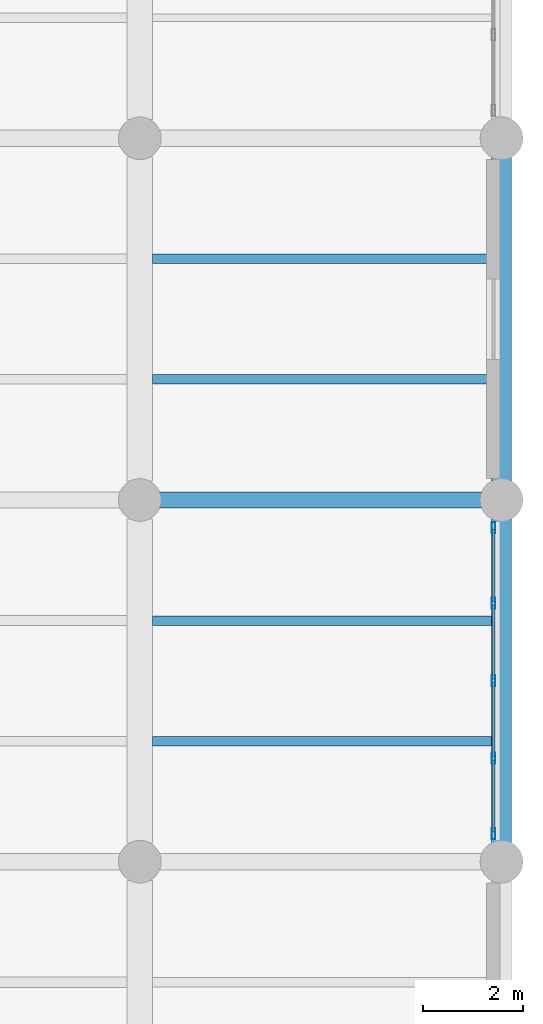
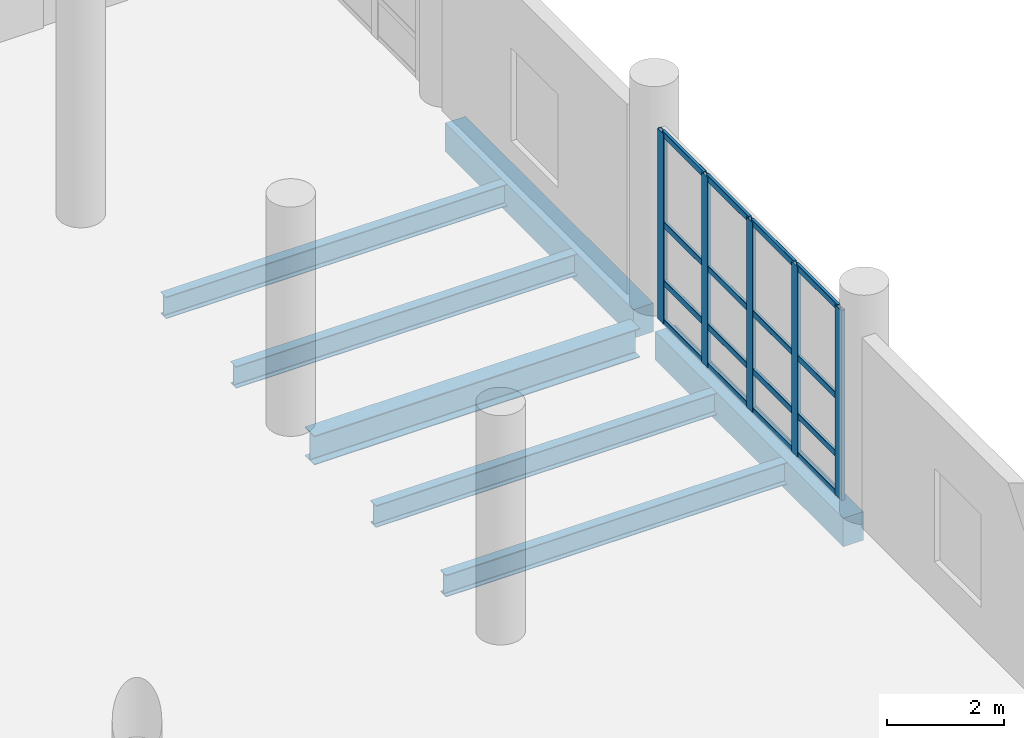
# One storey, part 66 of 127: 21 members, 7 beams, 1 element without a shape of its own.
"""IFC4 building model written with IfcOpenShell, lengths in metres."""

from ifc_helpers import new_model, si_unit, direction, frame, origin, origin_2d, place, context, subcontext, project, spatial, rectangle, hollow_rectangle, i_section, extrude, material, material_profile, profile_set, type_object, element, aggregate, save


model = new_model("IFC4")

# Units and contexts
model_context = context("Model", 3, precision=1e-05, world=origin(), true_north=direction((0.0, 1.0)))
body_context = subcontext(model_context, "Body", "Model", "MODEL_VIEW")
ifc_project = project(units=[si_unit("LENGTHUNIT", "METRE"), si_unit("AREAUNIT", "SQUARE_METRE"), si_unit("VOLUMEUNIT", "CUBIC_METRE"), si_unit("PLANEANGLEUNIT", "RADIAN"), si_unit("MASSUNIT", "GRAM", prefix="KILO")], contexts=[model_context])

# Site, building, storey
site_placement = place(None, origin())
site = spatial("IfcSite", under=ifc_project, at=site_placement, CompositionType="ELEMENT")
building_placement = place(site_placement, origin())
building = spatial("IfcBuilding", under=site, at=building_placement, Name="Kalmorath City Hall", CompositionType="ELEMENT")
storey_placement = place(building_placement, frame((0.0, 0.0, 5.39990234375)))
storey = spatial("IfcBuildingStorey", under=building, at=storey_placement, Name="L01", CompositionType="ELEMENT", Elevation=5.39990234375)

# Beams
ifc_material_1 = material(Name="Concrete C40/50", Category="concrete")
ifc_material_profile_1 = material_profile(ifc_material_1, rectangle(XDim=0.39990234375, YDim=0.60009765625, at=origin_2d()), Name="RC-BM-400X600")
ifc_profile_set_1 = profile_set([ifc_material_profile_1], Name="Concrete C40/50")
beam_type_1 = type_object("IfcBeamType", Name="Concrete edge beam 400x600", PredefinedType="SPANDREL", material=ifc_profile_set_1)
beam_1_placement = place(storey_placement, frame((165.60009765625, 50.77490234375, -0.6240234375), z_axis=(0.0, 1.0, 0.0), x_axis=(-1.0, 0.0, 0.0)))
element("IfcBeam", 1, at=beam_1_placement, inside=storey, type_object=beam_type_1, Name="L01 girder CB6 Y24/8-9", PredefinedType="SPANDREL", context=body_context, shape_type="SweptSolid", body=[
    extrude(rectangle(XDim=0.39990234375, YDim=0.60009765625, at=origin_2d()), origin(), (0.0, 0.0, 1.0), 6.4501953125),
])
beam_2_placement = place(storey_placement, frame((165.60009765625, 57.97509765625, -0.6240234375), z_axis=(0.0, 1.0, 0.0), x_axis=(-1.0, 0.0, 0.0)))
element("IfcBeam", 2, at=beam_2_placement, inside=storey, type_object=beam_type_1, Name="L01 girder CB6 Y24/9-10", PredefinedType="SPANDREL", context=body_context, shape_type="SweptSolid", body=[
    extrude(rectangle(XDim=0.39990234375, YDim=0.60009765625, at=origin_2d()), origin(), (0.0, 0.0, 1.0), 6.449951171875),
])

# Curtain wall, members
ifc_material_2 = material(Name="Anodised aluminium and laminated glass", Category="aluminium")
curtain_wall_type = type_object("IfcCurtainWallType", Name="Unitised hurricane curtain wall 6170x3976 M1650", PredefinedType="NOTDEFINED", material=ifc_material_2)
curtain_wall_placement = place(storey_placement, origin())
curtain_wall = element("IfcCurtainWall", 3, at=curtain_wall_placement, inside=storey, type_object=curtain_wall_type, Name="L01 curtain wall CW-62X40M16 #66", PredefinedType="NOTDEFINED")
ifc_material_3 = material(Name="Anodised aluminium framing", Category="aluminium")
ifc_material_profile_2 = material_profile(ifc_material_3, hollow_rectangle(XDim=0.06005859375, YDim=0.1298828125, WallThickness=0.00341796875, InnerFilletRadius=0.00341796875, OuterFilletRadius=0.007080078125, at=origin_2d()), Name="ALU-TRN-130X60X3.5")
ifc_profile_set_2 = profile_set([ifc_material_profile_2], Name="Anodised aluminium framing")
member_type_1 = type_object("IfcMemberType", Name="Curtain-wall courtyard transom 130x60", PredefinedType="USERDEFINED", material=ifc_profile_set_2)
member_1_placement = place(storey_placement, frame((165.43994140625, 57.010009765625, 0.030029296875), z_axis=(0.0, -1.0, 0.0), x_axis=(1.0, 0.0, 0.0)))
member_1 = element("IfcMember", 4, at=member_1_placement, type_object=member_type_1, Name="CW-62X40M16 transom 1.1", ObjectType="TRANSOM", PredefinedType="USERDEFINED", context=body_context, shape_type="SweptSolid", body=[
    extrude(hollow_rectangle(XDim=0.06005859375, YDim=0.1298828125, WallThickness=0.00341796875, InnerFilletRadius=0.00341796875, OuterFilletRadius=0.007080078125, at=origin_2d()), origin(), (0.0, 0.0, 1.0), 1.429931640625),
])
member_2_placement = place(storey_placement, frame((165.43994140625, 57.010009765625, 0.85009765625), z_axis=(0.0, -1.0, 0.0), x_axis=(1.0, 0.0, 0.0)))
member_2 = element("IfcMember", 5, at=member_2_placement, type_object=member_type_1, Name="CW-62X40M16 transom 1.2", ObjectType="TRANSOM", PredefinedType="USERDEFINED", context=body_context, shape_type="SweptSolid", body=[
    extrude(hollow_rectangle(XDim=0.06005859375, YDim=0.1298828125, WallThickness=0.00341796875, InnerFilletRadius=0.00341796875, OuterFilletRadius=0.007080078125, at=origin_2d()), origin(), (0.0, 0.0, 1.0), 1.429931640625),
])
member_3_placement = place(storey_placement, frame((165.43994140625, 57.010009765625, 2.068115234375), z_axis=(0.0, -1.0, 0.0), x_axis=(1.0, 0.0, 0.0)))
member_3 = element("IfcMember", 6, at=member_3_placement, type_object=member_type_1, Name="CW-62X40M16 transom 1.3", ObjectType="TRANSOM", PredefinedType="USERDEFINED", context=body_context, shape_type="SweptSolid", body=[
    extrude(hollow_rectangle(XDim=0.06005859375, YDim=0.1298828125, WallThickness=0.00341796875, InnerFilletRadius=0.00341796875, OuterFilletRadius=0.007080078125, at=origin_2d()), origin(), (0.0, 0.0, 1.0), 1.429931640625),
])
member_4_placement = place(storey_placement, frame((165.43994140625, 57.010009765625, 3.946044921875), z_axis=(0.0, -1.0, 0.0), x_axis=(1.0, 0.0, 0.0)))
member_4 = element("IfcMember", 7, at=member_4_placement, type_object=member_type_1, Name="CW-62X40M16 transom 1.4", ObjectType="TRANSOM", PredefinedType="USERDEFINED", context=body_context, shape_type="SweptSolid", body=[
    extrude(hollow_rectangle(XDim=0.06005859375, YDim=0.1298828125, WallThickness=0.00341796875, InnerFilletRadius=0.00341796875, OuterFilletRadius=0.007080078125, at=origin_2d()), origin(), (0.0, 0.0, 1.0), 1.429931640625),
])
member_5_placement = place(storey_placement, frame((165.43994140625, 55.5048828125, 0.030029296875), z_axis=(0.0, -1.0, 0.0), x_axis=(1.0, 0.0, 0.0)))
member_5 = element("IfcMember", 8, at=member_5_placement, type_object=member_type_1, Name="CW-62X40M16 transom 2.1", ObjectType="TRANSOM", PredefinedType="USERDEFINED", context=body_context, shape_type="SweptSolid", body=[
    extrude(hollow_rectangle(XDim=0.06005859375, YDim=0.1298828125, WallThickness=0.00341796875, InnerFilletRadius=0.00341796875, OuterFilletRadius=0.007080078125, at=origin_2d()), origin(), (0.0, 0.0, 1.0), 1.46728515625),
])
member_6_placement = place(storey_placement, frame((165.43994140625, 55.5048828125, 0.85009765625), z_axis=(0.0, -1.0, 0.0), x_axis=(1.0, 0.0, 0.0)))
member_6 = element("IfcMember", 9, at=member_6_placement, type_object=member_type_1, Name="CW-62X40M16 transom 2.2", ObjectType="TRANSOM", PredefinedType="USERDEFINED", context=body_context, shape_type="SweptSolid", body=[
    extrude(hollow_rectangle(XDim=0.06005859375, YDim=0.1298828125, WallThickness=0.00341796875, InnerFilletRadius=0.00341796875, OuterFilletRadius=0.007080078125, at=origin_2d()), origin(), (0.0, 0.0, 1.0), 1.46728515625),
])
member_7_placement = place(storey_placement, frame((165.43994140625, 55.5048828125, 2.068115234375), z_axis=(0.0, -1.0, 0.0), x_axis=(1.0, 0.0, 0.0)))
member_7 = element("IfcMember", 10, at=member_7_placement, type_object=member_type_1, Name="CW-62X40M16 transom 2.3", ObjectType="TRANSOM", PredefinedType="USERDEFINED", context=body_context, shape_type="SweptSolid", body=[
    extrude(hollow_rectangle(XDim=0.06005859375, YDim=0.1298828125, WallThickness=0.00341796875, InnerFilletRadius=0.00341796875, OuterFilletRadius=0.007080078125, at=origin_2d()), origin(), (0.0, 0.0, 1.0), 1.46728515625),
])
member_8_placement = place(storey_placement, frame((165.43994140625, 55.5048828125, 3.946044921875), z_axis=(0.0, -1.0, 0.0), x_axis=(1.0, 0.0, 0.0)))
member_8 = element("IfcMember", 11, at=member_8_placement, type_object=member_type_1, Name="CW-62X40M16 transom 2.4", ObjectType="TRANSOM", PredefinedType="USERDEFINED", context=body_context, shape_type="SweptSolid", body=[
    extrude(hollow_rectangle(XDim=0.06005859375, YDim=0.1298828125, WallThickness=0.00341796875, InnerFilletRadius=0.00341796875, OuterFilletRadius=0.007080078125, at=origin_2d()), origin(), (0.0, 0.0, 1.0), 1.46728515625),
])
member_9_placement = place(storey_placement, frame((165.43994140625, 53.96240234375, 0.030029296875), z_axis=(0.0, -1.0, 0.0), x_axis=(1.0, 0.0, 0.0)))
member_9 = element("IfcMember", 12, at=member_9_placement, type_object=member_type_1, Name="CW-62X40M16 transom 3.1", ObjectType="TRANSOM", PredefinedType="USERDEFINED", context=body_context, shape_type="SweptSolid", body=[
    extrude(hollow_rectangle(XDim=0.06005859375, YDim=0.1298828125, WallThickness=0.00341796875, InnerFilletRadius=0.00341796875, OuterFilletRadius=0.007080078125, at=origin_2d()), origin(), (0.0, 0.0, 1.0), 1.46728515625),
])
member_10_placement = place(storey_placement, frame((165.43994140625, 53.96240234375, 0.85009765625), z_axis=(0.0, -1.0, 0.0), x_axis=(1.0, 0.0, 0.0)))
member_10 = element("IfcMember", 13, at=member_10_placement, type_object=member_type_1, Name="CW-62X40M16 transom 3.2", ObjectType="TRANSOM", PredefinedType="USERDEFINED", context=body_context, shape_type="SweptSolid", body=[
    extrude(hollow_rectangle(XDim=0.06005859375, YDim=0.1298828125, WallThickness=0.00341796875, InnerFilletRadius=0.00341796875, OuterFilletRadius=0.007080078125, at=origin_2d()), origin(), (0.0, 0.0, 1.0), 1.46728515625),
])
member_11_placement = place(storey_placement, frame((165.43994140625, 53.96240234375, 2.068115234375), z_axis=(0.0, -1.0, 0.0), x_axis=(1.0, 0.0, 0.0)))
member_11 = element("IfcMember", 14, at=member_11_placement, type_object=member_type_1, Name="CW-62X40M16 transom 3.3", ObjectType="TRANSOM", PredefinedType="USERDEFINED", context=body_context, shape_type="SweptSolid", body=[
    extrude(hollow_rectangle(XDim=0.06005859375, YDim=0.1298828125, WallThickness=0.00341796875, InnerFilletRadius=0.00341796875, OuterFilletRadius=0.007080078125, at=origin_2d()), origin(), (0.0, 0.0, 1.0), 1.46728515625),
])
member_12_placement = place(storey_placement, frame((165.43994140625, 53.96240234375, 3.946044921875), z_axis=(0.0, -1.0, 0.0), x_axis=(1.0, 0.0, 0.0)))
member_12 = element("IfcMember", 15, at=member_12_placement, type_object=member_type_1, Name="CW-62X40M16 transom 3.4", ObjectType="TRANSOM", PredefinedType="USERDEFINED", context=body_context, shape_type="SweptSolid", body=[
    extrude(hollow_rectangle(XDim=0.06005859375, YDim=0.1298828125, WallThickness=0.00341796875, InnerFilletRadius=0.00341796875, OuterFilletRadius=0.007080078125, at=origin_2d()), origin(), (0.0, 0.0, 1.0), 1.46728515625),
])
member_13_placement = place(storey_placement, frame((165.43994140625, 52.419921875, 0.030029296875), z_axis=(0.0, -1.0, 0.0), x_axis=(1.0, 0.0, 0.0)))
member_13 = element("IfcMember", 16, at=member_13_placement, type_object=member_type_1, Name="CW-62X40M16 transom 4.1", ObjectType="TRANSOM", PredefinedType="USERDEFINED", context=body_context, shape_type="SweptSolid", body=[
    extrude(hollow_rectangle(XDim=0.06005859375, YDim=0.1298828125, WallThickness=0.00341796875, InnerFilletRadius=0.00341796875, OuterFilletRadius=0.007080078125, at=origin_2d()), origin(), (0.0, 0.0, 1.0), 1.429931640625),
])
member_14_placement = place(storey_placement, frame((165.43994140625, 52.419921875, 0.85009765625), z_axis=(0.0, -1.0, 0.0), x_axis=(1.0, 0.0, 0.0)))
member_14 = element("IfcMember", 17, at=member_14_placement, type_object=member_type_1, Name="CW-62X40M16 transom 4.2", ObjectType="TRANSOM", PredefinedType="USERDEFINED", context=body_context, shape_type="SweptSolid", body=[
    extrude(hollow_rectangle(XDim=0.06005859375, YDim=0.1298828125, WallThickness=0.00341796875, InnerFilletRadius=0.00341796875, OuterFilletRadius=0.007080078125, at=origin_2d()), origin(), (0.0, 0.0, 1.0), 1.429931640625),
])
member_15_placement = place(storey_placement, frame((165.43994140625, 52.419921875, 2.068115234375), z_axis=(0.0, -1.0, 0.0), x_axis=(1.0, 0.0, 0.0)))
member_15 = element("IfcMember", 18, at=member_15_placement, type_object=member_type_1, Name="CW-62X40M16 transom 4.3", ObjectType="TRANSOM", PredefinedType="USERDEFINED", context=body_context, shape_type="SweptSolid", body=[
    extrude(hollow_rectangle(XDim=0.06005859375, YDim=0.1298828125, WallThickness=0.00341796875, InnerFilletRadius=0.00341796875, OuterFilletRadius=0.007080078125, at=origin_2d()), origin(), (0.0, 0.0, 1.0), 1.429931640625),
])
member_16_placement = place(storey_placement, frame((165.43994140625, 52.419921875, 3.946044921875), z_axis=(0.0, -1.0, 0.0), x_axis=(1.0, 0.0, 0.0)))
member_16 = element("IfcMember", 19, at=member_16_placement, type_object=member_type_1, Name="CW-62X40M16 transom 4.4", ObjectType="TRANSOM", PredefinedType="USERDEFINED", context=body_context, shape_type="SweptSolid", body=[
    extrude(hollow_rectangle(XDim=0.06005859375, YDim=0.1298828125, WallThickness=0.00341796875, InnerFilletRadius=0.00341796875, OuterFilletRadius=0.007080078125, at=origin_2d()), origin(), (0.0, 0.0, 1.0), 1.429931640625),
])
ifc_material_4 = material(Name="Anodised aluminium framing", Category="aluminium")
ifc_material_profile_3 = material_profile(ifc_material_4, hollow_rectangle(XDim=0.074951171875, YDim=0.219970703125, WallThickness=0.00390625, InnerFilletRadius=0.00390625, OuterFilletRadius=0.008056640625, at=origin_2d()), Name="ALU-MUL-220X75X4")
ifc_profile_set_3 = profile_set([ifc_material_profile_3], Name="Anodised aluminium framing")
member_type_2 = type_object("IfcMemberType", Name="Curtain-wall primary mullion 220x75", PredefinedType="MULLION", material=ifc_profile_set_3)
member_17_placement = place(storey_placement, frame((165.43994140625, 57.047607421875, 0.0), z_axis=(0.0, 0.0, 1.0), x_axis=(1.0, 0.0, 0.0)))
member_17 = element("IfcMember", 20, at=member_17_placement, type_object=member_type_2, Name="CW-62X40M16 mullion 1", PredefinedType="MULLION", context=body_context, shape_type="SweptSolid", body=[
    extrude(hollow_rectangle(XDim=0.074951171875, YDim=0.219970703125, WallThickness=0.00390625, InnerFilletRadius=0.00390625, OuterFilletRadius=0.008056640625, at=origin_2d()), origin(), (0.0, 0.0, 1.0), 3.97607421875),
])
member_18_placement = place(storey_placement, frame((165.43994140625, 55.54248046875, 0.0), z_axis=(0.0, 0.0, 1.0), x_axis=(1.0, 0.0, 0.0)))
member_18 = element("IfcMember", 21, at=member_18_placement, type_object=member_type_2, Name="CW-62X40M16 mullion 2", PredefinedType="MULLION", context=body_context, shape_type="SweptSolid", body=[
    extrude(hollow_rectangle(XDim=0.074951171875, YDim=0.219970703125, WallThickness=0.00390625, InnerFilletRadius=0.00390625, OuterFilletRadius=0.008056640625, at=origin_2d()), origin(), (0.0, 0.0, 1.0), 3.97607421875),
])
member_19_placement = place(storey_placement, frame((165.43994140625, 54.0, 0.0), z_axis=(0.0, 0.0, 1.0), x_axis=(1.0, 0.0, 0.0)))
member_19 = element("IfcMember", 22, at=member_19_placement, type_object=member_type_2, Name="CW-62X40M16 mullion 3", PredefinedType="MULLION", context=body_context, shape_type="SweptSolid", body=[
    extrude(hollow_rectangle(XDim=0.074951171875, YDim=0.219970703125, WallThickness=0.00390625, InnerFilletRadius=0.00390625, OuterFilletRadius=0.008056640625, at=origin_2d()), origin(), (0.0, 0.0, 1.0), 3.97607421875),
])
member_20_placement = place(storey_placement, frame((165.43994140625, 52.45751953125, 0.0), z_axis=(0.0, 0.0, 1.0), x_axis=(1.0, 0.0, 0.0)))
member_20 = element("IfcMember", 23, at=member_20_placement, type_object=member_type_2, Name="CW-62X40M16 mullion 4", PredefinedType="MULLION", context=body_context, shape_type="SweptSolid", body=[
    extrude(hollow_rectangle(XDim=0.074951171875, YDim=0.219970703125, WallThickness=0.00390625, InnerFilletRadius=0.00390625, OuterFilletRadius=0.008056640625, at=origin_2d()), origin(), (0.0, 0.0, 1.0), 3.97607421875),
])
member_21_placement = place(storey_placement, frame((165.43994140625, 50.952392578125, 0.0), z_axis=(0.0, 0.0, 1.0), x_axis=(1.0, 0.0, 0.0)))
member_21 = element("IfcMember", 24, at=member_21_placement, type_object=member_type_2, Name="CW-62X40M16 mullion 5", PredefinedType="MULLION", context=body_context, shape_type="SweptSolid", body=[
    extrude(hollow_rectangle(XDim=0.074951171875, YDim=0.219970703125, WallThickness=0.00390625, InnerFilletRadius=0.00390625, OuterFilletRadius=0.008056640625, at=origin_2d()), origin(), (0.0, 0.0, 1.0), 3.97607421875),
])
aggregate(curtain_wall, [member_17, member_18, member_19, member_20, member_21, member_1, member_2, member_3, member_4, member_5, member_6, member_7, member_8, member_9, member_10, member_11, member_12, member_13, member_14, member_15, member_16])

# Beams
ifc_material_5 = material(Name="Steel ASTM A992 Grade 50", Category="steel")
ifc_material_profile_4 = material_profile(ifc_material_5, i_section(OverallWidth=0.19091796875, OverallDepth=0.45703125, WebThickness=0.009033203125, FlangeThickness=0.014404296875, FilletRadius=0.013916015625, at=origin_2d()), Name="W18X50")
ifc_profile_set_4 = profile_set([ifc_material_profile_4], Name="Steel ASTM A992 Grade 50")
beam_type_2 = type_object("IfcBeamType", Name="Steel composite joist W18X50", PredefinedType="JOIST", material=ifc_profile_set_4)
for number, where, z_axis, x_axis, name in (
    (25, (158.64990234375, 60.0, -0.552490234375), (1.0, 0.0, 0.0), (0.0, 1.0, 0.0), "L01 joist SJ3 23.9.1"),
    (26, (158.64990234375, 62.39990234375, -0.552490234375), (1.0, 0.0, 0.0), (0.0, 1.0, 0.0), "L01 joist SJ3 23.9.2"),
):
    element("IfcBeam", number, at=place(storey_placement, frame(where, z_axis=z_axis, x_axis=x_axis)), inside=storey, type_object=beam_type_2, Name=name, PredefinedType="JOIST", context=body_context, shape_type="SweptSolid", body=[
        extrude(i_section(OverallWidth=0.19091796875, OverallDepth=0.45703125, WebThickness=0.009033203125, FlangeThickness=0.014404296875, FilletRadius=0.013916015625, at=origin_2d()), origin(), (0.0, 0.0, 1.0), 6.75),
    ])
ifc_material_6 = material(Name="Steel ASTM A992 Grade 50", Category="steel")
ifc_material_profile_5 = material_profile(ifc_material_6, i_section(OverallWidth=0.19091796875, OverallDepth=0.4599609375, WebThickness=0.010009765625, FlangeThickness=0.01611328125, FilletRadius=0.013916015625, at=origin_2d()), Name="W18X55")
ifc_profile_set_5 = profile_set([ifc_material_profile_5], Name="Steel ASTM A992 Grade 50")
beam_type_3 = type_object("IfcBeamType", Name="Steel composite joist W18X55", PredefinedType="JOIST", material=ifc_profile_set_5)
for number, where, z_axis, x_axis, name in (
    (27, (158.64990234375, 52.800048828125, -0.553955078125), (1.0, 0.0, 0.0), (0.0, 1.0, 0.0), "L01 joist SJ2 23.8.1"),
    (28, (158.64990234375, 55.199951171875, -0.553955078125), (1.0, 0.0, 0.0), (0.0, 1.0, 0.0), "L01 joist SJ2 23.8.2"),
):
    element("IfcBeam", number, at=place(storey_placement, frame(where, z_axis=z_axis, x_axis=x_axis)), inside=storey, type_object=beam_type_3, Name=name, PredefinedType="JOIST", context=body_context, shape_type="SweptSolid", body=[
        extrude(i_section(OverallWidth=0.19091796875, OverallDepth=0.4599609375, WebThickness=0.010009765625, FlangeThickness=0.01611328125, FilletRadius=0.013916015625, at=origin_2d()), origin(), (0.0, 0.0, 1.0), 6.75),
    ])
ifc_material_7 = material(Name="Steel ASTM A992 Grade 50", Category="steel")
ifc_material_profile_6 = material_profile(ifc_material_7, i_section(OverallWidth=0.323974609375, OverallDepth=0.611083984375, WebThickness=0.0126953125, FlangeThickness=0.01904296875, FilletRadius=0.01611328125, at=origin_2d()), Name="W24X104")
ifc_profile_set_6 = profile_set([ifc_material_profile_6], Name="Steel ASTM A992 Grade 50")
beam_type_4 = type_object("IfcBeamType", Name="Steel floor girder W24X104", PredefinedType="BEAM", material=ifc_profile_set_6)
beam_3_placement = place(storey_placement, frame((158.77490234375, 57.60009765625, -0.62939453125), z_axis=(1.0, 0.0, 0.0), x_axis=(0.0, 1.0, 0.0)))
element("IfcBeam", 29, at=beam_3_placement, inside=storey, type_object=beam_type_4, Name="L01 girder SG7 X23-24/9", PredefinedType="BEAM", context=body_context, shape_type="SweptSolid", body=[
    extrude(i_section(OverallWidth=0.323974609375, OverallDepth=0.611083984375, WebThickness=0.0126953125, FlangeThickness=0.01904296875, FilletRadius=0.01611328125, at=origin_2d()), origin(), (0.0, 0.0, 1.0), 6.4501953125),
])

save(model, "model.ifc")
